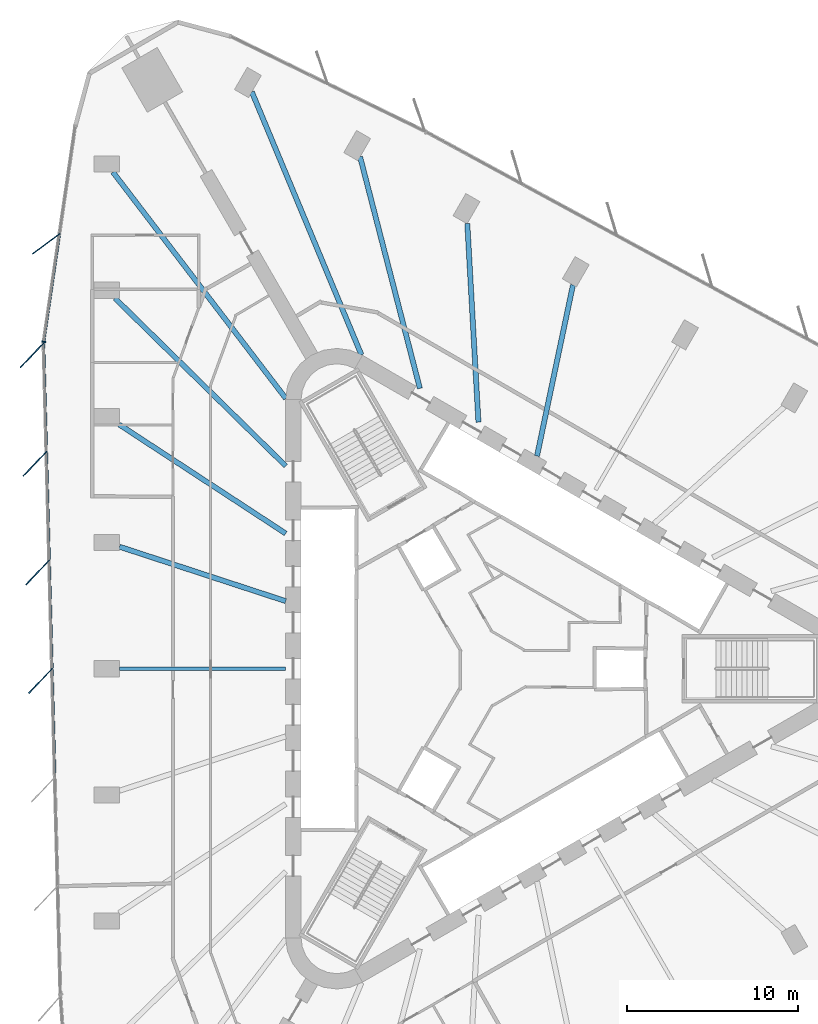
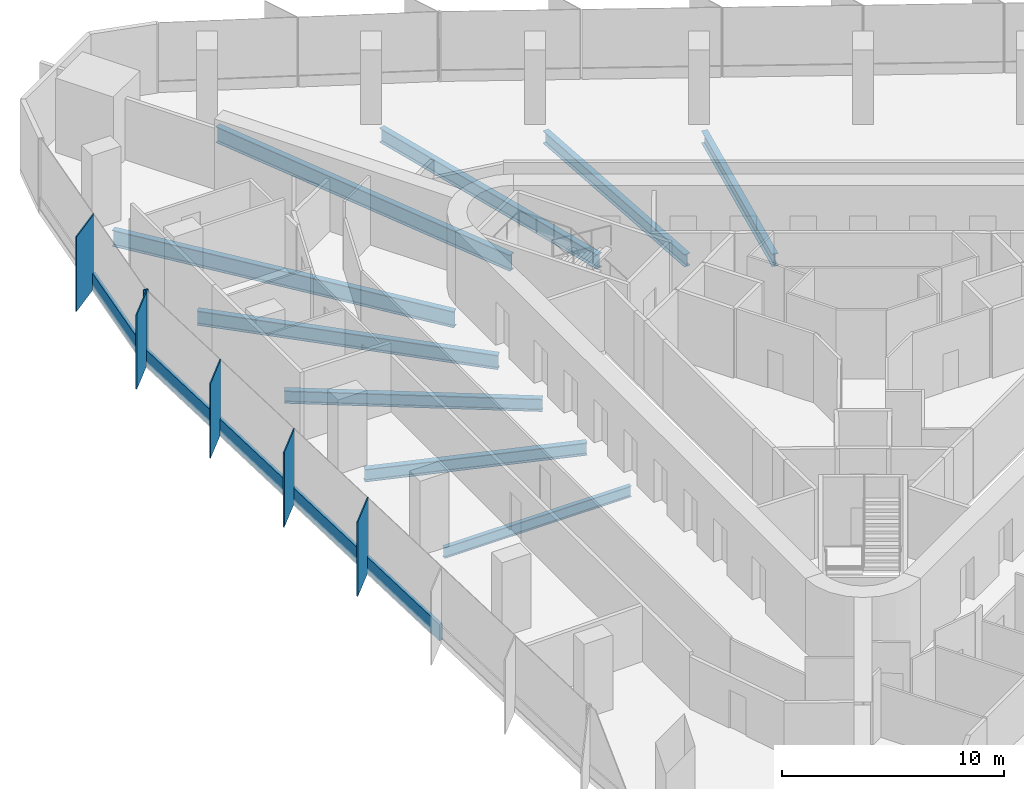
# One storey, part 4 of 14: 11 members, 9 beams, 2 elements without a shape of their own.
"""IFC4 building model written with IfcOpenShell, lengths in metres."""

from ifc_helpers import new_model, si_unit, direction, frame, origin, origin_2d, place, context, subcontext, project, spatial, rectangle, i_section, extrude, material, material_profile, profile_set, type_object, element, aggregate, save


model = new_model("IFC4")

# Units and contexts
model_context = context("Model", 3, precision=1e-05, world=origin(), true_north=direction((0.0, 1.0)))
body_context = subcontext(model_context, "Body", "Model", "MODEL_VIEW")
ifc_project = project(units=[si_unit("LENGTHUNIT", "METRE"), si_unit("AREAUNIT", "SQUARE_METRE"), si_unit("VOLUMEUNIT", "CUBIC_METRE"), si_unit("PLANEANGLEUNIT", "RADIAN"), si_unit("MASSUNIT", "GRAM", prefix="KILO")], contexts=[model_context])

# Site, building, storey
site_placement = place(None, origin())
site = spatial("IfcSite", under=ifc_project, at=site_placement, CompositionType="ELEMENT")
building_placement = place(site_placement, origin())
building = spatial("IfcBuilding", under=site, at=building_placement, Name="Tanit Gate Tower", CompositionType="ELEMENT")
storey_placement = place(building_placement, frame((0.0, 0.0, 148.0)))
storey = spatial("IfcBuildingStorey", under=building, at=storey_placement, Name="L32", CompositionType="ELEMENT", Elevation=148.0)

# Curtain wall, member
ifc_material_1 = material(Name="Aluminium bronze anodised and glass", Category="aluminium")
curtain_wall_type = type_object("IfcCurtainWallType", Name="Curtain wall typical low", PredefinedType="NOTDEFINED", material=ifc_material_1)
curtain_wall_1_placement = place(storey_placement, origin())
curtain_wall_1 = element("IfcCurtainWall", 1, at=curtain_wall_1_placement, inside=storey, type_object=curtain_wall_type, Name="Curtain wall L32 W1", PredefinedType="NOTDEFINED")
ifc_material_2 = material(Name="Aluminium bronze anodised", Category="aluminium")
ifc_material_profile_1 = material_profile(ifc_material_2, rectangle(XDim=2.0, YDim=0.055908203125, at=origin_2d()), Name="56x2000 bronze fin mullion")
ifc_profile_set_1 = profile_set([ifc_material_profile_1], Name="Aluminium bronze anodised")
member_type_1 = type_object("IfcMemberType", Name="FIN MULLION 56x2000 bronze", PredefinedType="MULLION", material=ifc_profile_set_1)
member_1_placement = place(storey_placement, frame((-26.133056640625, 24.8935546875, -0.300048828125), z_axis=(0.0, 0.0, 1.0), x_axis=(0.802295559178, 0.596926993629, 0.0)))
member_1 = element("IfcMember", 2, at=member_1_placement, type_object=member_type_1, Name="Fin mullion L32 W1.2", PredefinedType="MULLION", context=body_context, shape_type="SweptSolid", body=[
    extrude(rectangle(XDim=2.0, YDim=0.055908203125, at=origin_2d()), origin(), (0.0, 0.0, 1.0), 4.10009765625),
])

# Curtain wall, members
curtain_wall_2_placement = place(storey_placement, origin())
curtain_wall_2 = element("IfcCurtainWall", 3, at=curtain_wall_2_placement, inside=storey, type_object=curtain_wall_type, Name="Curtain wall L32 W2", PredefinedType="NOTDEFINED")
member_2_placement = place(storey_placement, frame((-26.954833984375, 18.363525390625, -0.300048828125), z_axis=(0.0, 0.0, 1.0), x_axis=(0.688538110764, 0.725200158595, 0.0)))
member_2 = element("IfcMember", 4, at=member_2_placement, type_object=member_type_1, Name="Fin mullion L32 W2.1", PredefinedType="MULLION", context=body_context, shape_type="SweptSolid", body=[
    extrude(rectangle(XDim=2.0, YDim=0.055908203125, at=origin_2d()), origin(), (0.0, 0.0, 1.0), 4.10009765625),
])
member_3_placement = place(storey_placement, frame((-26.7900390625, 12.005859375, -0.300048828125), z_axis=(0.0, 0.0, 1.0), x_axis=(0.688538110764, 0.725200158595, 0.0)))
member_3 = element("IfcMember", 5, at=member_3_placement, type_object=member_type_1, Name="Fin mullion L32 W2.2", PredefinedType="MULLION", context=body_context, shape_type="SweptSolid", body=[
    extrude(rectangle(XDim=2.0, YDim=0.055908203125, at=origin_2d()), origin(), (0.0, 0.0, 1.0), 4.10009765625),
])
member_4_placement = place(storey_placement, frame((-26.625244140625, 5.648193359375, -0.300048828125), z_axis=(0.0, 0.0, 1.0), x_axis=(0.688538110764, 0.725200158595, 0.0)))
member_4 = element("IfcMember", 6, at=member_4_placement, type_object=member_type_1, Name="Fin mullion L32 W2.3", PredefinedType="MULLION", context=body_context, shape_type="SweptSolid", body=[
    extrude(rectangle(XDim=2.0, YDim=0.055908203125, at=origin_2d()), origin(), (0.0, 0.0, 1.0), 4.10009765625),
])
member_5_placement = place(storey_placement, frame((-26.46044921875, -0.70947265625, -0.300048828125), z_axis=(0.0, 0.0, 1.0), x_axis=(0.688538110764, 0.725200158595, 0.0)))
member_5 = element("IfcMember", 7, at=member_5_placement, type_object=member_type_1, Name="Fin mullion L32 W2.4", PredefinedType="MULLION", context=body_context, shape_type="SweptSolid", body=[
    extrude(rectangle(XDim=2.0, YDim=0.055908203125, at=origin_2d()), origin(), (0.0, 0.0, 1.0), 4.10009765625),
])

# Member
ifc_material_3 = material(Name="Aluminium bronze anodised", Category="aluminium")
ifc_material_profile_2 = material_profile(ifc_material_3, rectangle(XDim=0.239990234375, YDim=0.080078125, at=origin_2d()), Name="80x240 bronze mullion")
ifc_profile_set_2 = profile_set([ifc_material_profile_2], Name="Aluminium bronze anodised")
member_type_2 = type_object("IfcMemberType", Name="Mullion 80x240 typical low", PredefinedType="MULLION", material=ifc_profile_set_2)
member_6_placement = place(storey_placement, frame((-26.277099609375, 19.15185546875, -0.300048828125), z_axis=(0.0, 0.0, 1.0), x_axis=(0.989399755479, -0.145217505343, 0.0)))
member_6 = element("IfcMember", 8, at=member_6_placement, type_object=member_type_2, Name="Mullion L32 W1.3", PredefinedType="MULLION", context=body_context, shape_type="SweptSolid", body=[
    extrude(rectangle(XDim=0.239990234375, YDim=0.080078125, at=origin_2d()), origin(), (0.0, 0.0, 1.0), 4.10009765625),
])

# Beams
ifc_material_4 = material(Name="Steel S355", Category="steel")
ifc_material_profile_3 = material_profile(ifc_material_4, i_section(OverallWidth=0.300048828125, OverallDepth=0.68994140625, WebThickness=0.014404296875, FlangeThickness=0.027099609375, FilletRadius=0.027099609375, at=origin_2d()), Name="HEA 700")
ifc_profile_set_3 = profile_set([ifc_material_profile_3], Name="Steel S355")
beam_type_1 = type_object("IfcBeamType", Name="RADIAL GIRDER HEA 700 S355", PredefinedType="BEAM", material=ifc_profile_set_3)
beam_1_placement = place(storey_placement, frame((4.7275390625, 22.48046875, -0.64501953125), z_axis=(-0.205786947525, -0.978596818015, 0.0), x_axis=(0.978596818015, -0.205786947525, 0.0)))
element("IfcBeam", 9, at=beam_1_placement, inside=storey, type_object=beam_type_1, Name="RADIAL GIRDER", PredefinedType="BEAM", context=body_context, shape_type="SweptSolid", body=[
    extrude(i_section(OverallWidth=0.300048828125, OverallDepth=0.68994140625, WebThickness=0.014404296875, FlangeThickness=0.027099609375, FilletRadius=0.027099609375, at=origin_2d()), origin(), (0.0, 0.0, 1.0), 10.238525390625),
])
beam_2_placement = place(storey_placement, frame((-1.46240234375, 26.08251953125, -0.64501953125), z_axis=(0.055972182093, -0.998432328619, 0.0), x_axis=(0.998432328619, 0.055972182093, 0.0)))
element("IfcBeam", 10, at=beam_2_placement, inside=storey, type_object=beam_type_1, Name="RADIAL GIRDER", PredefinedType="BEAM", context=body_context, shape_type="SweptSolid", body=[
    extrude(i_section(OverallWidth=0.300048828125, OverallDepth=0.68994140625, WebThickness=0.014404296875, FlangeThickness=0.027099609375, FilletRadius=0.027099609375, at=origin_2d()), origin(), (0.0, 0.0, 1.0), 11.6591796875),
])
beam_3_placement = place(storey_placement, frame((-21.856689453125, 14.307861328125, -0.64501953125), z_axis=(0.836666622901, -0.547712481256, 0.0), x_axis=(0.547712481256, 0.836666622901, 0.0)))
element("IfcBeam", 11, at=beam_3_placement, inside=storey, type_object=beam_type_1, Name="RADIAL GIRDER", PredefinedType="BEAM", context=body_context, shape_type="SweptSolid", body=[
    extrude(i_section(OverallWidth=0.300048828125, OverallDepth=0.68994140625, WebThickness=0.014404296875, FlangeThickness=0.027099609375, FilletRadius=0.027099609375, at=origin_2d()), origin(), (0.0, 0.0, 1.0), 11.658935546875),
])
beam_4_placement = place(storey_placement, frame((-21.83251953125, 7.14599609375, -0.64501953125), z_axis=(0.950388541719, -0.311065298242, 0.0), x_axis=(0.311065298242, 0.950388541719, 0.0)))
element("IfcBeam", 12, at=beam_4_placement, inside=storey, type_object=beam_type_1, Name="RADIAL GIRDER", PredefinedType="BEAM", context=body_context, shape_type="SweptSolid", body=[
    extrude(i_section(OverallWidth=0.300048828125, OverallDepth=0.68994140625, WebThickness=0.014404296875, FlangeThickness=0.027099609375, FilletRadius=0.027099609375, at=origin_2d()), origin(), (0.0, 0.0, 1.0), 10.238525390625),
])
ifc_material_5 = material(Name="Steel S355", Category="steel")
ifc_material_profile_4 = material_profile(ifc_material_5, i_section(OverallWidth=0.300048828125, OverallDepth=0.7900390625, WebThickness=0.014892578125, FlangeThickness=0.028076171875, FilletRadius=0.030029296875, at=origin_2d()), Name="HEA 800")
ifc_profile_set_4 = profile_set([ifc_material_profile_4], Name="Steel S355")
beam_type_2 = type_object("IfcBeamType", Name="RADIAL GIRDER HEA 800 S355", PredefinedType="BEAM", material=ifc_profile_set_4)
for number, where, z_axis, x_axis, name in (
    (13, (-7.742919921875, 29.98779296875, -0.695068359375), (0.250007137307, -0.968243993679, 0.0), (0.968243993679, 0.250007137307, 0.0), "RADIAL GIRDER"),
    (14, (-22.0986328125, 21.69921875, -0.695068359375), (0.713525004951, -0.70062976479, 0.0), (0.70062976479, 0.713525004951, 0.0), "RADIAL GIRDER"),
):
    element("IfcBeam", number, at=place(storey_placement, frame(where, z_axis=z_axis, x_axis=x_axis)), inside=storey, type_object=beam_type_2, Name=name, PredefinedType="BEAM", context=body_context, shape_type="SweptSolid", body=[
        extrude(i_section(OverallWidth=0.300048828125, OverallDepth=0.7900390625, WebThickness=0.014892578125, FlangeThickness=0.028076171875, FilletRadius=0.030029296875, at=origin_2d()), origin(), (0.0, 0.0, 1.0), 14.01025390625),
    ])
ifc_material_6 = material(Name="Steel S355", Category="steel")
ifc_material_profile_5 = material_profile(ifc_material_6, i_section(OverallWidth=0.300048828125, OverallDepth=0.889892578125, WebThickness=0.01611328125, FlangeThickness=0.030029296875, FilletRadius=0.030029296875, at=origin_2d()), Name="HEA 900")
ifc_profile_set_5 = profile_set([ifc_material_profile_5], Name="Steel S355")
beam_type_3 = type_object("IfcBeamType", Name="RADIAL GIRDER HEA 900 S355", PredefinedType="BEAM", material=ifc_profile_set_5)
for number, where, z_axis, x_axis, name in (
    (15, (-14.08349609375, 33.7880859375, -0.7451171875), (0.384731757577, -0.923028425733, 0.0), (0.923028425733, 0.384731757577, 0.0), "RADIAL GIRDER"),
    (16, (-22.219482421875, 29.0908203125, -0.7451171875), (0.606989396765, -0.794709929606, 0.0), (0.794709929606, 0.606989396765, 0.0), "RADIAL GIRDER"),
):
    element("IfcBeam", number, at=place(storey_placement, frame(where, z_axis=z_axis, x_axis=x_axis)), inside=storey, type_object=beam_type_3, Name=name, PredefinedType="BEAM", context=body_context, shape_type="SweptSolid", body=[
        extrude(i_section(OverallWidth=0.300048828125, OverallDepth=0.889892578125, WebThickness=0.01611328125, FlangeThickness=0.030029296875, FilletRadius=0.030029296875, at=origin_2d()), origin(), (0.0, 0.0, 1.0), 16.68359375),
    ])
ifc_material_7 = material(Name="Steel S355", Category="steel")
ifc_material_profile_6 = material_profile(ifc_material_7, i_section(OverallWidth=0.219970703125, OverallDepth=0.60009765625, WebThickness=0.011962890625, FlangeThickness=0.01904296875, FilletRadius=0.02392578125, at=origin_2d()), Name="IPE 600")
ifc_profile_set_6 = profile_set([ifc_material_profile_6], Name="Steel S355")
beam_type_4 = type_object("IfcBeamType", Name="RADIAL GIRDER IPE 600 S355", PredefinedType="BEAM", material=ifc_profile_set_6)
beam_5_placement = place(storey_placement, frame((-21.83251953125, 0.0, -0.60009765625), z_axis=(1.0, 0.0, 0.0), x_axis=(0.0, 1.0, 0.0)))
element("IfcBeam", 17, at=beam_5_placement, inside=storey, type_object=beam_type_4, Name="RADIAL GIRDER", PredefinedType="BEAM", context=body_context, shape_type="SweptSolid", body=[
    extrude(i_section(OverallWidth=0.219970703125, OverallDepth=0.60009765625, WebThickness=0.011962890625, FlangeThickness=0.01904296875, FilletRadius=0.02392578125, at=origin_2d()), origin(), (0.0, 0.0, 1.0), 9.73046875),
])

# Member
ifc_material_8 = material(Name="Aluminium bronze anodised", Category="aluminium")
ifc_material_profile_7 = material_profile(ifc_material_8, rectangle(XDim=0.159912109375, YDim=0.89990234375, at=origin_2d()), Name="160x900 bronze transom")
ifc_profile_set_7 = profile_set([ifc_material_profile_7], Name="Aluminium bronze anodised")
member_type_3 = type_object("IfcMemberType", Name="Transom 160x900 typical low", PredefinedType="USERDEFINED", material=ifc_profile_set_7)
member_7_placement = place(storey_placement, frame((-25.354736328125, 25.437255859375, 0.14990234375), z_axis=(-0.145221203289, -0.989399212712, 0.0), x_axis=(0.989399212712, -0.145221203289, 0.0)))
member_7 = element("IfcMember", 18, at=member_7_placement, type_object=member_type_3, Name="Transom L32 W1.2", ObjectType="TRANSOM", PredefinedType="USERDEFINED", context=body_context, shape_type="SweptSolid", body=[
    extrude(rectangle(XDim=0.159912109375, YDim=0.89990234375, at=origin_2d()), origin(), (0.0, 0.0, 1.0), 6.312744140625),
])

aggregate(curtain_wall_1, [member_1, member_6, member_7])

member_8_placement = place(storey_placement, frame((-26.281005859375, 19.0322265625, 0.14990234375), z_axis=(0.025931462812, -0.999663723077, 0.0), x_axis=(0.999663723077, 0.025931462812, 0.0)))
member_8 = element("IfcMember", 19, at=member_8_placement, type_object=member_type_3, Name="Transom L32 W2.1", ObjectType="TRANSOM", PredefinedType="USERDEFINED", context=body_context, shape_type="SweptSolid", body=[
    extrude(rectangle(XDim=0.159912109375, YDim=0.89990234375, at=origin_2d()), origin(), (0.0, 0.0, 1.0), 6.27978515625),
])

member_9_placement = place(storey_placement, frame((-26.115966796875, 12.674560546875, 0.14990234375), z_axis=(0.025892611141, -0.999664730141, 0.0), x_axis=(0.999664730141, 0.025892611141, 0.0)))
member_9 = element("IfcMember", 20, at=member_9_placement, type_object=member_type_3, Name="Transom L32 W2.2", ObjectType="TRANSOM", PredefinedType="USERDEFINED", context=body_context, shape_type="SweptSolid", body=[
    extrude(rectangle(XDim=0.159912109375, YDim=0.89990234375, at=origin_2d()), origin(), (0.0, 0.0, 1.0), 6.27978515625),
])

member_10_placement = place(storey_placement, frame((-25.951171875, 6.31689453125, 0.14990234375), z_axis=(0.025930455033, -0.999663749219, 0.0), x_axis=(0.999663749219, 0.025930455033, 0.0)))
member_10 = element("IfcMember", 21, at=member_10_placement, type_object=member_type_3, Name="Transom L32 W2.3", ObjectType="TRANSOM", PredefinedType="USERDEFINED", context=body_context, shape_type="SweptSolid", body=[
    extrude(rectangle(XDim=0.159912109375, YDim=0.89990234375, at=origin_2d()), origin(), (0.0, 0.0, 1.0), 6.280029296875),
])

member_11_placement = place(storey_placement, frame((-25.786376953125, -0.040771484375, 0.14990234375), z_axis=(0.025930455033, -0.999663749219, 0.0), x_axis=(0.999663749219, 0.025930455033, 0.0)))
member_11 = element("IfcMember", 22, at=member_11_placement, type_object=member_type_3, Name="Transom L32 W2.4", ObjectType="TRANSOM", PredefinedType="USERDEFINED", context=body_context, shape_type="SweptSolid", body=[
    extrude(rectangle(XDim=0.159912109375, YDim=0.89990234375, at=origin_2d()), origin(), (0.0, 0.0, 1.0), 6.280029296875),
])

aggregate(curtain_wall_2, [member_2, member_3, member_4, member_5, member_8, member_9, member_10, member_11])

save(model, "model.ifc")
